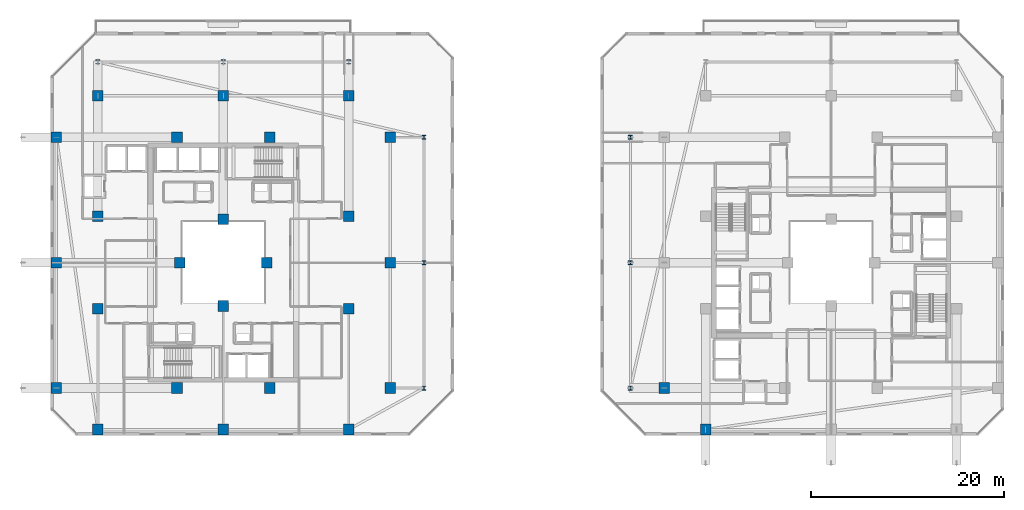
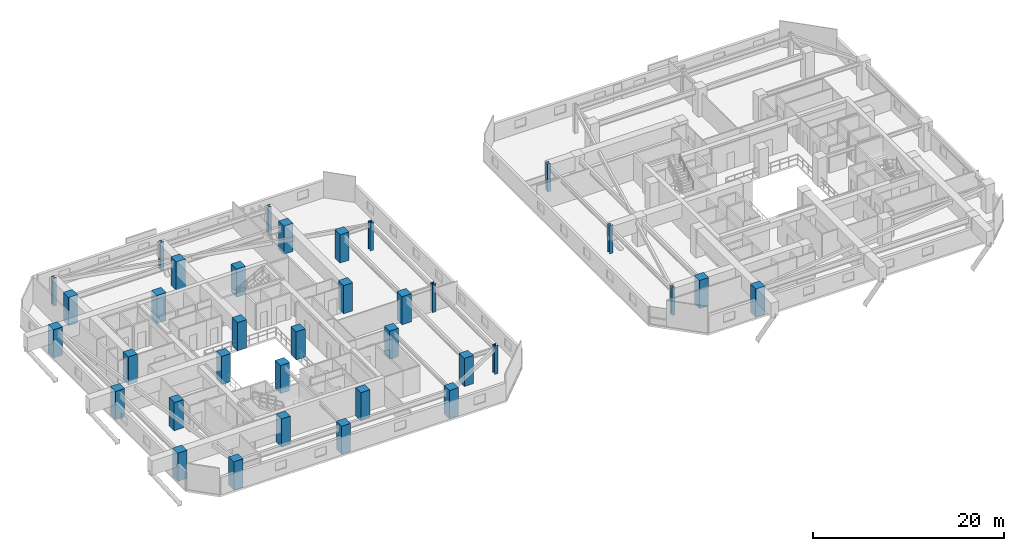
# One storey, part 1 of 36: 35 columns.
"""IFC4 building model written with IfcOpenShell, lengths in metres."""

import ifcopenshell
import ifcopenshell.guid

model = None  # the IFC model being written
_history = None  # IfcOwnerHistory: only IFC2X3 demands one
_inside = {}  # id of a spatial element -> (the spatial element, [elements in it])
_under = {}  # id of a project, library or spatial element -> (it, [spatial elements below it])
_declared = {}  # id of a project -> (the project, [libraries it declares])
_typed = {}  # id of a type object -> (the type object, [elements of that type])
_made_of = {}  # id of a material, layer set ... -> (it, [elements and type objects made of it])


def new_model(schema):
    """Start an empty IFC model of exactly this schema.

    Asked for "IFC4X3", IfcOpenShell would pick the latest addendum, in which some entities
    have other attributes; the version numbers below select the first issue.
    IFC2X3 requires an IfcOwnerHistory on every rooted entity: one is made here for all.
    """
    global model, _history
    if schema == "IFC4X3":
        model = ifcopenshell.file(schema_version=(4, 3, 0, 0))
    else:
        model = ifcopenshell.file(schema=schema)
    _inside.clear()
    _under.clear()
    _declared.clear()
    _typed.clear()
    _made_of.clear()
    _history = None
    if model.schema == "IFC2X3":
        org = make("IfcOrganization", Name="unknown")
        user = make(
            "IfcPersonAndOrganization",
            ThePerson=make("IfcPerson", FamilyName="unknown"),
            TheOrganization=org,
        )
        app = make(
            "IfcApplication",
            ApplicationDeveloper=org,
            Version="unknown",
            ApplicationFullName="unknown",
            ApplicationIdentifier="unknown",
        )
        _history = make(
            "IfcOwnerHistory",
            OwningUser=user,
            OwningApplication=app,
            ChangeAction="ADDED",
            CreationDate=0,
        )
    return model


def make(cls, **values):
    """One entity of the class cls with the attributes given. An attribute that is None is left unset."""
    return model.create_entity(
        cls, **{name: value for name, value in values.items() if value is not None}
    )


def rooted(cls, **values):
    """An entity with a GlobalId (a new one), such as an element, a storey or a relation."""
    return make(cls, GlobalId=ifcopenshell.guid.new(), OwnerHistory=_history, **values)


def si_unit(unit_type, name, prefix=None):
    """IfcSIUnit, for example si_unit("LENGTHUNIT", "METRE", prefix="MILLI")."""
    return make("IfcSIUnit", UnitType=unit_type, Prefix=prefix, Name=name)


def assignment(units):
    """IfcUnitAssignment: the units of a project."""
    return None if units is None else make("IfcUnitAssignment", Units=units)


def point(xyz):
    """IfcCartesianPoint."""
    return None if xyz is None else make("IfcCartesianPoint", Coordinates=xyz)


def direction(xyz):
    """IfcDirection."""
    return None if xyz is None else make("IfcDirection", DirectionRatios=xyz)


def frame(location, z_axis=None, x_axis=None):
    """IfcAxis2Placement3D, a coordinate frame: its origin and axes. An axis left out is left unset."""
    return make(
        "IfcAxis2Placement3D",
        Location=point(location),
        Axis=direction(z_axis),
        RefDirection=direction(x_axis),
    )


def frame_2d(location, x_axis=None):
    """IfcAxis2Placement2D, a coordinate frame in the plane: its origin and x axis."""
    return make(
        "IfcAxis2Placement2D", Location=point(location), RefDirection=direction(x_axis)
    )


def origin():
    """The frame at (0, 0, 0) with its axes left unset."""
    return frame((0.0, 0.0, 0.0))


def origin_2d():
    """The frame at (0, 0) in the plane with its x axis left unset."""
    return frame_2d((0.0, 0.0))


def place(relative_to, where):
    """IfcLocalPlacement: puts the frame where relative to a parent placement (None: the world)."""
    return make(
        "IfcLocalPlacement", PlacementRelTo=relative_to, RelativePlacement=where
    )


def context(
    kind, dimensions, precision=None, world=None, true_north=None, identifier=None
):
    """IfcGeometricRepresentationContext, for example the 3D "Model" context."""
    return make(
        "IfcGeometricRepresentationContext",
        ContextIdentifier=identifier,
        ContextType=kind,
        CoordinateSpaceDimension=dimensions,
        Precision=precision,
        WorldCoordinateSystem=world,
        TrueNorth=true_north,
    )


def subcontext(parent, identifier, kind, view, scale=None):
    """IfcGeometricRepresentationSubContext, for example "Body" below "Model"."""
    return make(
        "IfcGeometricRepresentationSubContext",
        ContextIdentifier=identifier,
        ContextType=kind,
        ParentContext=parent,
        TargetScale=scale,
        TargetView=view,
    )


def project(units=None, contexts=None):
    """IfcProject with its units and contexts."""
    return rooted(
        "IfcProject",
        Name="project",
        RepresentationContexts=contexts,
        UnitsInContext=assignment(units),
    )


def spatial(cls, under=None, at=None, **own):
    """A site, building, storey or space (cls), placed at a placement, below another one or the project."""
    s = rooted(cls, ObjectPlacement=at, **own)
    if under is not None:
        _under.setdefault(under.id(), (under, []))[1].append(s)
    return s


def profile(cls, at=None, kind="AREA", **sizes):
    """A parametric profile (cls). Its sizes go by their IFC names, for example OverallWidth=200.0."""
    return make(cls, ProfileType=kind, Position=at, **sizes)


def rectangle(**sizes):
    """IfcRectangleProfileDef."""
    return profile("IfcRectangleProfileDef", **sizes)


def i_section(**sizes):
    """IfcIShapeProfileDef."""
    return profile("IfcIShapeProfileDef", **sizes)


def extrude(swept, where, along, depth):
    """IfcExtrudedAreaSolid: the profile swept, set in the frame where, extruded along a direction by depth."""
    return make(
        "IfcExtrudedAreaSolid",
        SweptArea=swept,
        Position=where,
        ExtrudedDirection=direction(along),
        Depth=depth,
    )


def shape(context_of_items, identifier, shape_type, items):
    """IfcShapeRepresentation: the items that make up one representation, for example the "Body"."""
    return make(
        "IfcShapeRepresentation",
        ContextOfItems=context_of_items,
        RepresentationIdentifier=identifier,
        RepresentationType=shape_type,
        Items=items,
    )


def material(Name=None, Category=None):
    """IfcMaterial."""
    return make("IfcMaterial", Name=Name, Category=Category)


def material_profile(
    of_material, cross_section, Name=None, Category=None, Priority=None
):
    """IfcMaterialProfile: a cross section and its material."""
    return make(
        "IfcMaterialProfile",
        Name=Name,
        Material=of_material,
        Profile=cross_section,
        Priority=Priority,
        Category=Category,
    )


def profile_set(profiles, Name=None, composite=None):
    """IfcMaterialProfileSet."""
    return make(
        "IfcMaterialProfileSet",
        Name=Name,
        MaterialProfiles=profiles,
        CompositeProfile=composite,
    )


def made_of(thing, what):
    """Note that an element or type object is made of a material, layer set ...; save() writes the relation."""
    if what is not None:
        _made_of.setdefault(what.id(), (what, []))[1].append(thing)
    return thing


def type_object(cls, material=None, **own):
    """A type object (cls), such as IfcWallType, which elements share."""
    return made_of(rooted(cls, **own), material)


def element(
    cls,
    number,
    at=None,
    inside=None,
    cuts=None,
    type_object=None,
    material=None,
    context=None,
    identifier="Body",
    shape_type=None,
    held_by="IfcProductDefinitionShape",
    body=None,
    shapes=None,
    **own,
):
    """One element of the class cls, such as IfcWall. Its Tag is "e" and its number.

    at: its placement. inside: the storey or other place that contains it. cuts: it is an
    opening in that element (IfcRelVoidsElement). A single representation is given by context,
    identifier, shape_type and body (its items); several are given by shapes. held_by: the class
    of the entity that holds the representations. save() writes the other relations.
    """
    e = rooted(cls, Tag="e%d" % number, ObjectPlacement=at, **own)
    if body is not None:
        shapes = [shape(context, identifier, shape_type, body)]
    if shapes is not None:
        e.Representation = make(held_by, Representations=shapes)
    if inside is not None:
        _inside.setdefault(inside.id(), (inside, []))[1].append(e)
    if cuts is not None:
        rooted(
            "IfcRelVoidsElement", RelatingBuildingElement=cuts, RelatedOpeningElement=e
        )
    if type_object is not None:
        _typed.setdefault(type_object.id(), (type_object, []))[1].append(e)
    return made_of(e, material)


def aggregate(whole, parts):
    """IfcRelAggregates: a whole, such as a stair, and the parts it consists of."""
    return rooted("IfcRelAggregates", RelatingObject=whole, RelatedObjects=parts)


def save(model, path):
    """Write the relations noted so far, then the file.

    IfcRelAggregates (storeys below a building ...), IfcRelContainedInSpatialStructure (elements
    in a storey), IfcRelDefinesByType, IfcRelAssociatesMaterial and IfcRelDeclares: one each for
    every whole, place, type object, material and project.
    """
    for whole, parts in _under.values():
        aggregate(whole, parts)
    for where, things in _inside.values():
        rooted(
            "IfcRelContainedInSpatialStructure",
            RelatedElements=things,
            RelatingStructure=where,
        )
    for kind, things in _typed.values():
        rooted("IfcRelDefinesByType", RelatedObjects=things, RelatingType=kind)
    for what, things in _made_of.values():
        rooted("IfcRelAssociatesMaterial", RelatedObjects=things, RelatingMaterial=what)
    for by, libraries in _declared.values():
        rooted("IfcRelDeclares", RelatingContext=by, RelatedDefinitions=libraries)
    model.write(path)


model = new_model("IFC4")

# Units and contexts
model_context = context("Model", 3, precision=1e-05, world=origin(), true_north=direction((0.0, 1.0)))
body_context = subcontext(model_context, "Body", "Model", "MODEL_VIEW")
ifc_project = project(units=[si_unit("LENGTHUNIT", "METRE"), si_unit("AREAUNIT", "SQUARE_METRE"), si_unit("VOLUMEUNIT", "CUBIC_METRE"), si_unit("PLANEANGLEUNIT", "RADIAN"), si_unit("MASSUNIT", "GRAM", prefix="KILO")], contexts=[model_context])

# Site, building, storey
site_placement = place(None, origin())
site = spatial("IfcSite", under=ifc_project, at=site_placement, CompositionType="ELEMENT")
building_placement = place(site_placement, origin())
building = spatial("IfcBuilding", under=site, at=building_placement, Name="Thornwick Lancets Civic Towers", CompositionType="ELEMENT")
storey_placement = place(building_placement, frame((0.0, 0.0, 196.5)))
storey = spatial("IfcBuildingStorey", under=building, at=storey_placement, Name="L52", CompositionType="ELEMENT", Elevation=196.5)

# Columns
ifc_material_1 = material(Name="Concrete C50/60", Category="concrete")
ifc_material_profile_1 = material_profile(ifc_material_1, rectangle(XDim=1.10009765625, YDim=1.10009765625, at=origin_2d()), Name="RC 1100x1100")
ifc_profile_set_1 = profile_set([ifc_material_profile_1], Name="Concrete C50/60")
column_type_1 = type_object("IfcColumnType", Name="COL_RC_1100", PredefinedType="COLUMN", material=ifc_profile_set_1)
for number, where, z_axis, x_axis, name in (
    (1, (12.5, 9.699951171875, 0.0), (0.0, 0.0, 1.0), (1.0, 0.0, 0.0), "L52 Spine Mega-Column A01"),
    (2, (25.5, 9.699951171875, 0.0), (0.0, 0.0, 1.0), (1.0, 0.0, 0.0), "L52 Spine Mega-Column A02"),
    (3, (38.5, 9.699951171875, 0.0), (0.0, 0.0, 1.0), (1.0, 0.0, 0.0), "L52 Spine Mega-Column A03"),
    (4, (42.800048828125, 14.0, 0.0), (0.0, 0.0, 1.0), (1.0, 0.0, 0.0), "L52 Spine Mega-Column A04"),
    (5, (42.800048828125, 27.0, 0.0), (0.0, 0.0, 1.0), (1.0, 0.0, 0.0), "L52 Spine Mega-Column A05"),
    (6, (42.800048828125, 40.0, 0.0), (0.0, 0.0, 1.0), (1.0, 0.0, 0.0), "L52 Spine Mega-Column A06"),
    (7, (12.5, 44.300048828125, 0.0), (0.0, 0.0, 1.0), (1.0, 0.0, 0.0), "L52 Spine Mega-Column A07"),
    (8, (25.5, 44.300048828125, 0.0), (0.0, 0.0, 1.0), (1.0, 0.0, 0.0), "L52 Spine Mega-Column A08"),
    (9, (38.5, 44.300048828125, 0.0), (0.0, 0.0, 1.0), (1.0, 0.0, 0.0), "L52 Spine Mega-Column A09"),
    (10, (8.199951171875, 14.0, 0.0), (0.0, 0.0, 1.0), (1.0, 0.0, 0.0), "L52 Spine Mega-Column A10"),
    (11, (8.199951171875, 27.0, 0.0), (0.0, 0.0, 1.0), (1.0, 0.0, 0.0), "L52 Spine Mega-Column A11"),
    (12, (8.199951171875, 40.0, 0.0), (0.0, 0.0, 1.0), (1.0, 0.0, 0.0), "L52 Spine Mega-Column A12"),
    (13, (12.5, 22.199951171875, 0.0), (0.0, 0.0, 1.0), (1.0, 0.0, 0.0), "L52 Spine Mega-Column A13"),
    (14, (38.5, 22.199951171875, 0.0), (0.0, 0.0, 1.0), (1.0, 0.0, 0.0), "L52 Spine Mega-Column A14"),
    (15, (12.5, 31.800048828125, 0.0), (0.0, 0.0, 1.0), (1.0, 0.0, 0.0), "L52 Spine Mega-Column A15"),
    (16, (38.5, 31.800048828125, 0.0), (0.0, 0.0, 1.0), (1.0, 0.0, 0.0), "L52 Spine Mega-Column A16"),
    (17, (20.699951171875, 14.0, 0.0), (0.0, 0.0, 1.0), (1.0, 0.0, 0.0), "L52 Spine Mega-Column A17"),
    (18, (30.300048828125, 14.0, 0.0), (0.0, 0.0, 1.0), (1.0, 0.0, 0.0), "L52 Spine Mega-Column A18"),
    (19, (20.699951171875, 40.0, 0.0), (0.0, 0.0, 1.0), (1.0, 0.0, 0.0), "L52 Spine Mega-Column A19"),
    (20, (30.300048828125, 40.0, 0.0), (0.0, 0.0, 1.0), (1.0, 0.0, 0.0), "L52 Spine Mega-Column A20"),
    (21, (25.5, 22.5, 0.0), (0.0, 0.0, 1.0), (1.0, 0.0, 0.0), "L52 Spine Mega-Column A21"),
    (22, (25.5, 31.5, 0.0), (0.0, 0.0, 1.0), (1.0, 0.0, 0.0), "L52 Spine Mega-Column A22"),
    (23, (21.0, 27.0, 0.0), (0.0, 0.0, 1.0), (1.0, 0.0, 0.0), "L52 Spine Mega-Column A23"),
    (24, (30.0, 27.0, 0.0), (0.0, 0.0, 1.0), (1.0, 0.0, 0.0), "L52 Spine Mega-Column A24"),
    (25, (71.199951171875, 14.0, 0.0), (0.0, 0.0, 1.0), (1.0, 0.0, 0.0), "L52 Spine Mega-Column B07"),
    (26, (75.5, 9.699951171875, 0.0), (0.0, 0.0, 1.0), (1.0, 0.0, 0.0), "L52 Spine Mega-Column B12"),
):
    element("IfcColumn", number, at=place(storey_placement, frame(where, z_axis=z_axis, x_axis=x_axis)), inside=storey, type_object=column_type_1, Name=name, PredefinedType="COLUMN", context=body_context, shape_type="SweptSolid", body=[
        extrude(rectangle(XDim=1.10009765625, YDim=1.10009765625, at=origin_2d()), origin(), (0.0, 0.0, 1.0), 3.60009765625),
    ])
ifc_material_2 = material(Name="Steel S460M", Category="steel")
ifc_material_profile_2 = material_profile(ifc_material_2, i_section(OverallWidth=0.406982421875, OverallDepth=0.4189453125, WebThickness=0.030517578125, FlangeThickness=0.04931640625, FilletRadius=0.01513671875, at=origin_2d()), Name="UKC 356x406x393")
ifc_profile_set_2 = profile_set([ifc_material_profile_2], Name="Steel S460M")
column_type_2 = type_object("IfcColumnType", Name="COL_UKC_393", PredefinedType="COLUMN", material=ifc_profile_set_2)
for number, where, z_axis, x_axis, name in (
    (27, (46.300048828125, 14.0, 0.0), (0.0, 0.0, 1.0), (1.0, 0.0, 0.0), "L52 Block Perimeter Column A04"),
    (28, (46.300048828125, 27.0, 0.0), (0.0, 0.0, 1.0), (1.0, 0.0, 0.0), "L52 Block Perimeter Column A05"),
    (29, (46.300048828125, 40.0, 0.0), (0.0, 0.0, 1.0), (1.0, 0.0, 0.0), "L52 Block Perimeter Column A06"),
    (30, (12.5, 47.800048828125, 0.0), (0.0, 0.0, 1.0), (1.0, 0.0, 0.0), "L52 Block Perimeter Column A07"),
    (31, (25.5, 47.800048828125, 0.0), (0.0, 0.0, 1.0), (1.0, 0.0, 0.0), "L52 Block Perimeter Column A08"),
    (32, (38.5, 47.800048828125, 0.0), (0.0, 0.0, 1.0), (1.0, 0.0, 0.0), "L52 Block Perimeter Column A09"),
    (33, (67.699951171875, 14.0, 0.0), (0.0, 0.0, 1.0), (1.0, 0.0, 0.0), "L52 Block Perimeter Column B07"),
    (34, (67.699951171875, 27.0, 0.0), (0.0, 0.0, 1.0), (1.0, 0.0, 0.0), "L52 Block Perimeter Column B08"),
    (35, (67.699951171875, 40.0, 0.0), (0.0, 0.0, 1.0), (1.0, 0.0, 0.0), "L52 Block Perimeter Column B09"),
):
    element("IfcColumn", number, at=place(storey_placement, frame(where, z_axis=z_axis, x_axis=x_axis)), inside=storey, type_object=column_type_2, Name=name, PredefinedType="COLUMN", context=body_context, shape_type="SweptSolid", body=[
        extrude(i_section(OverallWidth=0.406982421875, OverallDepth=0.4189453125, WebThickness=0.030517578125, FlangeThickness=0.04931640625, FilletRadius=0.01513671875, at=origin_2d()), origin(), (0.0, 0.0, 1.0), 3.60009765625),
    ])

save(model, "model.ifc")
